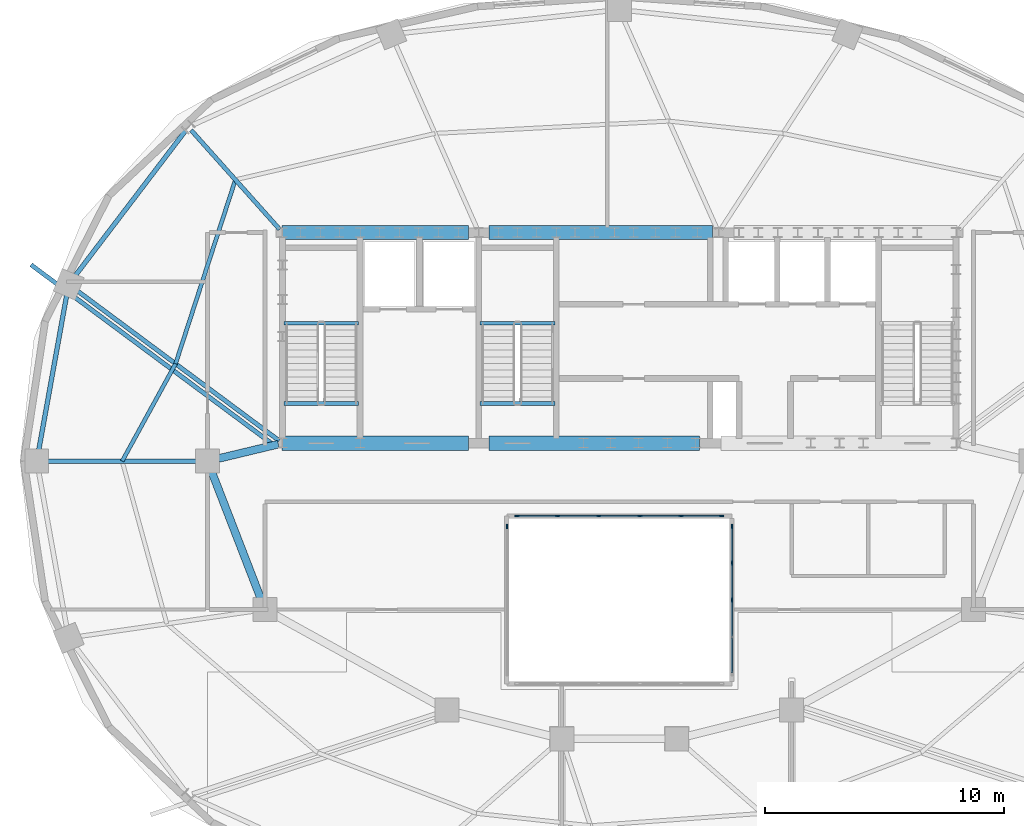
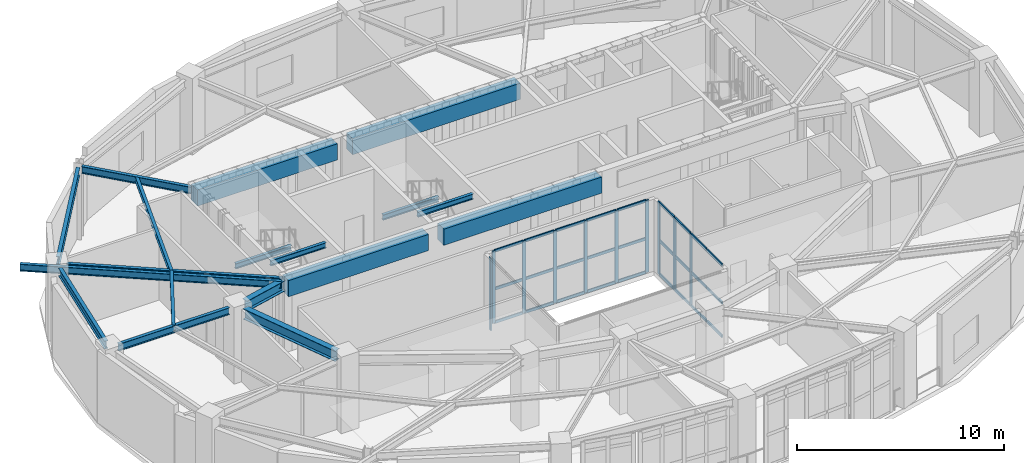
# One storey, part 4 of 11: 37 members, 18 beams, 3 elements without a shape of their own.
"""IFC4 building model written with IfcOpenShell, lengths in metres."""

from ifc_helpers import new_model, si_unit, direction, frame, origin, origin_2d, place, context, subcontext, project, spatial, rectangle, i_section, extrude, material, material_profile, profile_set, type_object, element, aggregate, save


model = new_model("IFC4")

# Units and contexts
model_context = context("Model", 3, precision=1e-05, world=origin(), true_north=direction((0.0, 1.0)))
body_context = subcontext(model_context, "Body", "Model", "MODEL_VIEW")
ifc_project = project(units=[si_unit("LENGTHUNIT", "METRE"), si_unit("AREAUNIT", "SQUARE_METRE"), si_unit("VOLUMEUNIT", "CUBIC_METRE"), si_unit("PLANEANGLEUNIT", "RADIAN"), si_unit("MASSUNIT", "GRAM", prefix="KILO")], contexts=[model_context])

# Site, building, storey
site_placement = place(None, origin())
site = spatial("IfcSite", under=ifc_project, at=site_placement, CompositionType="ELEMENT")
building_placement = place(site_placement, origin())
building = spatial("IfcBuilding", under=site, at=building_placement, Name="Haldorwick Loom Tower", CompositionType="ELEMENT")
storey_placement = place(building_placement, frame((0.0, 0.0, 247.800048828125)))
storey = spatial("IfcBuildingStorey", under=building, at=storey_placement, Name="L67", CompositionType="ELEMENT", Elevation=247.800048828125)

# Curtain wall, members
ifc_material_1 = material(Name="Thermally Broken Anodized Aluminium Curtain Wall Framing", Category="aluminium")
curtain_wall_type = type_object("IfcCurtainWallType", Name="ARC-CW-03", PredefinedType="NOTDEFINED", material=ifc_material_1)
curtain_wall_1_placement = place(storey_placement, origin())
curtain_wall_1 = element("IfcCurtainWall", 1, at=curtain_wall_1_placement, inside=storey, type_object=curtain_wall_type, Name="L67 Atrium Glazed Screen N", PredefinedType="NOTDEFINED")
ifc_material_profile_1 = material_profile(ifc_material_1, rectangle(XDim=0.06591796875, YDim=0.18505859375, at=origin_2d()), Name="ALU_MUL_66X185", Category="aluminium")
ifc_profile_set_1 = profile_set([ifc_material_profile_1], Name="Thermally Broken Anodized Aluminium Curtain Wall Framing")
member_type_1 = type_object("IfcMemberType", Name="ARC-CWM-03", PredefinedType="MULLION", material=ifc_profile_set_1)
member_1_placement = place(storey_placement, frame((31.73291015625, 23.699951171875, 0.0), z_axis=(0.0, 0.0, 1.0), x_axis=(0.0, 1.0, 0.0)))
member_1 = element("IfcMember", 2, at=member_1_placement, type_object=member_type_1, Name="CW-03 mullion 1", PredefinedType="MULLION", context=body_context, shape_type="SweptSolid", body=[
    extrude(rectangle(XDim=0.06591796875, YDim=0.18505859375, at=origin_2d()), origin(), (0.0, 0.0, 1.0), 4.260009765625),
])
member_2_placement = place(storey_placement, frame((33.419921875, 23.699951171875, 0.0), z_axis=(0.0, 0.0, 1.0), x_axis=(0.0, 1.0, 0.0)))
member_2 = element("IfcMember", 3, at=member_2_placement, type_object=member_type_1, Name="CW-03 mullion 2", PredefinedType="MULLION", context=body_context, shape_type="SweptSolid", body=[
    extrude(rectangle(XDim=0.06591796875, YDim=0.18505859375, at=origin_2d()), origin(), (0.0, 0.0, 1.0), 4.260009765625),
])
member_3_placement = place(storey_placement, frame((35.139892578125, 23.699951171875, 0.0), z_axis=(0.0, 0.0, 1.0), x_axis=(0.0, 1.0, 0.0)))
member_3 = element("IfcMember", 4, at=member_3_placement, type_object=member_type_1, Name="CW-03 mullion 3", PredefinedType="MULLION", context=body_context, shape_type="SweptSolid", body=[
    extrude(rectangle(XDim=0.06591796875, YDim=0.18505859375, at=origin_2d()), origin(), (0.0, 0.0, 1.0), 4.260009765625),
])
member_4_placement = place(storey_placement, frame((36.860107421875, 23.699951171875, 0.0), z_axis=(0.0, 0.0, 1.0), x_axis=(0.0, 1.0, 0.0)))
member_4 = element("IfcMember", 5, at=member_4_placement, type_object=member_type_1, Name="CW-03 mullion 4", PredefinedType="MULLION", context=body_context, shape_type="SweptSolid", body=[
    extrude(rectangle(XDim=0.06591796875, YDim=0.18505859375, at=origin_2d()), origin(), (0.0, 0.0, 1.0), 4.260009765625),
])
member_5_placement = place(storey_placement, frame((38.580078125, 23.699951171875, 0.0), z_axis=(0.0, 0.0, 1.0), x_axis=(0.0, 1.0, 0.0)))
member_5 = element("IfcMember", 6, at=member_5_placement, type_object=member_type_1, Name="CW-03 mullion 5", PredefinedType="MULLION", context=body_context, shape_type="SweptSolid", body=[
    extrude(rectangle(XDim=0.06591796875, YDim=0.18505859375, at=origin_2d()), origin(), (0.0, 0.0, 1.0), 4.260009765625),
])
member_6_placement = place(storey_placement, frame((40.26708984375, 23.699951171875, 0.0), z_axis=(0.0, 0.0, 1.0), x_axis=(0.0, 1.0, 0.0)))
member_6 = element("IfcMember", 7, at=member_6_placement, type_object=member_type_1, Name="CW-03 mullion 6", PredefinedType="MULLION", context=body_context, shape_type="SweptSolid", body=[
    extrude(rectangle(XDim=0.06591796875, YDim=0.18505859375, at=origin_2d()), origin(), (0.0, 0.0, 1.0), 4.260009765625),
])

# Curtain wall, member
curtain_wall_2_placement = place(storey_placement, origin())
curtain_wall_2 = element("IfcCurtainWall", 8, at=curtain_wall_2_placement, inside=storey, type_object=curtain_wall_type, Name="L67 Atrium Glazed Screen W", PredefinedType="NOTDEFINED")
member_7_placement = place(storey_placement, frame((31.300048828125, 23.26708984375, 0.0), z_axis=(0.0, 0.0, 1.0), x_axis=(-1.0, 0.0, 0.0)))
member_7 = element("IfcMember", 9, at=member_7_placement, type_object=member_type_1, Name="CW-03 mullion 5", PredefinedType="MULLION", context=body_context, shape_type="SweptSolid", body=[
    extrude(rectangle(XDim=0.06591796875, YDim=0.18505859375, at=origin_2d()), origin(), (0.0, 0.0, 1.0), 4.260009765625),
])
aggregate(curtain_wall_2, [member_7])

# Curtain wall, members
curtain_wall_3_placement = place(storey_placement, origin())
curtain_wall_3 = element("IfcCurtainWall", 10, at=curtain_wall_3_placement, inside=storey, type_object=curtain_wall_type, Name="L67 Atrium Glazed Screen E", PredefinedType="NOTDEFINED")
member_8_placement = place(storey_placement, frame((40.699951171875, 23.26708984375, 0.0), z_axis=(0.0, 0.0, 1.0), x_axis=(1.0, 0.0, 0.0)))
member_8 = element("IfcMember", 11, at=member_8_placement, type_object=member_type_1, Name="CW-03 mullion 1", PredefinedType="MULLION", context=body_context, shape_type="SweptSolid", body=[
    extrude(rectangle(XDim=0.06591796875, YDim=0.18505859375, at=origin_2d()), origin(), (0.0, 0.0, 1.0), 4.260009765625),
])
member_9_placement = place(storey_placement, frame((40.699951171875, 21.75, 0.0), z_axis=(0.0, 0.0, 1.0), x_axis=(1.0, 0.0, 0.0)))
member_9 = element("IfcMember", 12, at=member_9_placement, type_object=member_type_1, Name="CW-03 mullion 2", PredefinedType="MULLION", context=body_context, shape_type="SweptSolid", body=[
    extrude(rectangle(XDim=0.06591796875, YDim=0.18505859375, at=origin_2d()), origin(), (0.0, 0.0, 1.0), 4.260009765625),
])
member_10_placement = place(storey_placement, frame((40.699951171875, 20.199951171875, 0.0), z_axis=(0.0, 0.0, 1.0), x_axis=(1.0, 0.0, 0.0)))
member_10 = element("IfcMember", 13, at=member_10_placement, type_object=member_type_1, Name="CW-03 mullion 3", PredefinedType="MULLION", context=body_context, shape_type="SweptSolid", body=[
    extrude(rectangle(XDim=0.06591796875, YDim=0.18505859375, at=origin_2d()), origin(), (0.0, 0.0, 1.0), 4.260009765625),
])

# Member
ifc_material_profile_2 = material_profile(ifc_material_1, rectangle(XDim=0.06591796875, YDim=0.1650390625, at=origin_2d()), Name="ALU_TRN_66X165", Category="aluminium")
ifc_profile_set_2 = profile_set([ifc_material_profile_2], Name="Thermally Broken Anodized Aluminium Curtain Wall Framing")
member_type_2 = type_object("IfcMemberType", Name="ARC-CWT-03", PredefinedType="USERDEFINED", material=ifc_profile_set_2)
member_11_placement = place(storey_placement, frame((31.76611328125, 23.699951171875, 0.032958984375), z_axis=(1.0, 0.0, 0.0), x_axis=(0.0, 1.0, 0.0)))
member_11 = element("IfcMember", 14, at=member_11_placement, type_object=member_type_2, Name="CW-03 transom 1.1", ObjectType="TRANSOM", PredefinedType="USERDEFINED", context=body_context, shape_type="SweptSolid", body=[
    extrude(rectangle(XDim=0.06591796875, YDim=0.1650390625, at=origin_2d()), origin(), (0.0, 0.0, 1.0), 1.620849609375),
])

member_12_placement = place(storey_placement, frame((31.76611328125, 23.699951171875, 2.0), z_axis=(1.0, 0.0, 0.0), x_axis=(0.0, 1.0, 0.0)))
member_12 = element("IfcMember", 15, at=member_12_placement, type_object=member_type_2, Name="CW-03 transom 1.2", ObjectType="TRANSOM", PredefinedType="USERDEFINED", context=body_context, shape_type="SweptSolid", body=[
    extrude(rectangle(XDim=0.06591796875, YDim=0.1650390625, at=origin_2d()), origin(), (0.0, 0.0, 1.0), 1.620849609375),
])

member_13_placement = place(storey_placement, frame((31.76611328125, 23.699951171875, 4.22705078125), z_axis=(1.0, 0.0, 0.0), x_axis=(0.0, 1.0, 0.0)))
member_13 = element("IfcMember", 16, at=member_13_placement, type_object=member_type_2, Name="CW-03 transom 1.3", ObjectType="TRANSOM", PredefinedType="USERDEFINED", context=body_context, shape_type="SweptSolid", body=[
    extrude(rectangle(XDim=0.06591796875, YDim=0.1650390625, at=origin_2d()), origin(), (0.0, 0.0, 1.0), 1.620849609375),
])

member_14_placement = place(storey_placement, frame((33.452880859375, 23.699951171875, 0.032958984375), z_axis=(1.0, 0.0, 0.0), x_axis=(0.0, 1.0, 0.0)))
member_14 = element("IfcMember", 17, at=member_14_placement, type_object=member_type_2, Name="CW-03 transom 2.1", ObjectType="TRANSOM", PredefinedType="USERDEFINED", context=body_context, shape_type="SweptSolid", body=[
    extrude(rectangle(XDim=0.06591796875, YDim=0.1650390625, at=origin_2d()), origin(), (0.0, 0.0, 1.0), 1.654052734375),
])

member_15_placement = place(storey_placement, frame((33.452880859375, 23.699951171875, 2.0), z_axis=(1.0, 0.0, 0.0), x_axis=(0.0, 1.0, 0.0)))
member_15 = element("IfcMember", 18, at=member_15_placement, type_object=member_type_2, Name="CW-03 transom 2.2", ObjectType="TRANSOM", PredefinedType="USERDEFINED", context=body_context, shape_type="SweptSolid", body=[
    extrude(rectangle(XDim=0.06591796875, YDim=0.1650390625, at=origin_2d()), origin(), (0.0, 0.0, 1.0), 1.654052734375),
])

member_16_placement = place(storey_placement, frame((33.452880859375, 23.699951171875, 4.22705078125), z_axis=(1.0, 0.0, 0.0), x_axis=(0.0, 1.0, 0.0)))
member_16 = element("IfcMember", 19, at=member_16_placement, type_object=member_type_2, Name="CW-03 transom 2.3", ObjectType="TRANSOM", PredefinedType="USERDEFINED", context=body_context, shape_type="SweptSolid", body=[
    extrude(rectangle(XDim=0.06591796875, YDim=0.1650390625, at=origin_2d()), origin(), (0.0, 0.0, 1.0), 1.654052734375),
])

member_17_placement = place(storey_placement, frame((35.173095703125, 23.699951171875, 0.032958984375), z_axis=(1.0, 0.0, 0.0), x_axis=(0.0, 1.0, 0.0)))
member_17 = element("IfcMember", 20, at=member_17_placement, type_object=member_type_2, Name="CW-03 transom 3.1", ObjectType="TRANSOM", PredefinedType="USERDEFINED", context=body_context, shape_type="SweptSolid", body=[
    extrude(rectangle(XDim=0.06591796875, YDim=0.1650390625, at=origin_2d()), origin(), (0.0, 0.0, 1.0), 1.65380859375),
])

member_18_placement = place(storey_placement, frame((35.173095703125, 23.699951171875, 2.0), z_axis=(1.0, 0.0, 0.0), x_axis=(0.0, 1.0, 0.0)))
member_18 = element("IfcMember", 21, at=member_18_placement, type_object=member_type_2, Name="CW-03 transom 3.2", ObjectType="TRANSOM", PredefinedType="USERDEFINED", context=body_context, shape_type="SweptSolid", body=[
    extrude(rectangle(XDim=0.06591796875, YDim=0.1650390625, at=origin_2d()), origin(), (0.0, 0.0, 1.0), 1.65380859375),
])

member_19_placement = place(storey_placement, frame((35.173095703125, 23.699951171875, 4.22705078125), z_axis=(1.0, 0.0, 0.0), x_axis=(0.0, 1.0, 0.0)))
member_19 = element("IfcMember", 22, at=member_19_placement, type_object=member_type_2, Name="CW-03 transom 3.3", ObjectType="TRANSOM", PredefinedType="USERDEFINED", context=body_context, shape_type="SweptSolid", body=[
    extrude(rectangle(XDim=0.06591796875, YDim=0.1650390625, at=origin_2d()), origin(), (0.0, 0.0, 1.0), 1.65380859375),
])

member_20_placement = place(storey_placement, frame((36.89306640625, 23.699951171875, 0.032958984375), z_axis=(1.0, 0.0, 0.0), x_axis=(0.0, 1.0, 0.0)))
member_20 = element("IfcMember", 23, at=member_20_placement, type_object=member_type_2, Name="CW-03 transom 4.1", ObjectType="TRANSOM", PredefinedType="USERDEFINED", context=body_context, shape_type="SweptSolid", body=[
    extrude(rectangle(XDim=0.06591796875, YDim=0.1650390625, at=origin_2d()), origin(), (0.0, 0.0, 1.0), 1.654052734375),
])

member_21_placement = place(storey_placement, frame((36.89306640625, 23.699951171875, 2.0), z_axis=(1.0, 0.0, 0.0), x_axis=(0.0, 1.0, 0.0)))
member_21 = element("IfcMember", 24, at=member_21_placement, type_object=member_type_2, Name="CW-03 transom 4.2", ObjectType="TRANSOM", PredefinedType="USERDEFINED", context=body_context, shape_type="SweptSolid", body=[
    extrude(rectangle(XDim=0.06591796875, YDim=0.1650390625, at=origin_2d()), origin(), (0.0, 0.0, 1.0), 1.654052734375),
])

member_22_placement = place(storey_placement, frame((36.89306640625, 23.699951171875, 4.22705078125), z_axis=(1.0, 0.0, 0.0), x_axis=(0.0, 1.0, 0.0)))
member_22 = element("IfcMember", 25, at=member_22_placement, type_object=member_type_2, Name="CW-03 transom 4.3", ObjectType="TRANSOM", PredefinedType="USERDEFINED", context=body_context, shape_type="SweptSolid", body=[
    extrude(rectangle(XDim=0.06591796875, YDim=0.1650390625, at=origin_2d()), origin(), (0.0, 0.0, 1.0), 1.654052734375),
])

member_23_placement = place(storey_placement, frame((38.613037109375, 23.699951171875, 0.032958984375), z_axis=(1.0, 0.0, 0.0), x_axis=(0.0, 1.0, 0.0)))
member_23 = element("IfcMember", 26, at=member_23_placement, type_object=member_type_2, Name="CW-03 transom 5.1", ObjectType="TRANSOM", PredefinedType="USERDEFINED", context=body_context, shape_type="SweptSolid", body=[
    extrude(rectangle(XDim=0.06591796875, YDim=0.1650390625, at=origin_2d()), origin(), (0.0, 0.0, 1.0), 1.620849609375),
])

member_24_placement = place(storey_placement, frame((38.613037109375, 23.699951171875, 2.0), z_axis=(1.0, 0.0, 0.0), x_axis=(0.0, 1.0, 0.0)))
member_24 = element("IfcMember", 27, at=member_24_placement, type_object=member_type_2, Name="CW-03 transom 5.2", ObjectType="TRANSOM", PredefinedType="USERDEFINED", context=body_context, shape_type="SweptSolid", body=[
    extrude(rectangle(XDim=0.06591796875, YDim=0.1650390625, at=origin_2d()), origin(), (0.0, 0.0, 1.0), 1.620849609375),
])

member_25_placement = place(storey_placement, frame((38.613037109375, 23.699951171875, 4.22705078125), z_axis=(1.0, 0.0, 0.0), x_axis=(0.0, 1.0, 0.0)))
member_25 = element("IfcMember", 28, at=member_25_placement, type_object=member_type_2, Name="CW-03 transom 5.3", ObjectType="TRANSOM", PredefinedType="USERDEFINED", context=body_context, shape_type="SweptSolid", body=[
    extrude(rectangle(XDim=0.06591796875, YDim=0.1650390625, at=origin_2d()), origin(), (0.0, 0.0, 1.0), 1.620849609375),
])

aggregate(curtain_wall_1, [member_1, member_2, member_3, member_4, member_5, member_6, member_11, member_12, member_13, member_14, member_15, member_16, member_17, member_18, member_19, member_20, member_21, member_22, member_23, member_24, member_25])

member_26_placement = place(storey_placement, frame((40.699951171875, 23.23388671875, 0.032958984375), z_axis=(0.0, -1.0, 0.0), x_axis=(1.0, 0.0, 0.0)))
member_26 = element("IfcMember", 29, at=member_26_placement, type_object=member_type_2, Name="CW-03 transom 1.1", ObjectType="TRANSOM", PredefinedType="USERDEFINED", context=body_context, shape_type="SweptSolid", body=[
    extrude(rectangle(XDim=0.06591796875, YDim=0.1650390625, at=origin_2d()), origin(), (0.0, 0.0, 1.0), 1.450927734375),
])

member_27_placement = place(storey_placement, frame((40.699951171875, 23.23388671875, 2.0), z_axis=(0.0, -1.0, 0.0), x_axis=(1.0, 0.0, 0.0)))
member_27 = element("IfcMember", 30, at=member_27_placement, type_object=member_type_2, Name="CW-03 transom 1.2", ObjectType="TRANSOM", PredefinedType="USERDEFINED", context=body_context, shape_type="SweptSolid", body=[
    extrude(rectangle(XDim=0.06591796875, YDim=0.1650390625, at=origin_2d()), origin(), (0.0, 0.0, 1.0), 1.450927734375),
])

member_28_placement = place(storey_placement, frame((40.699951171875, 23.23388671875, 4.22705078125), z_axis=(0.0, -1.0, 0.0), x_axis=(1.0, 0.0, 0.0)))
member_28 = element("IfcMember", 31, at=member_28_placement, type_object=member_type_2, Name="CW-03 transom 1.3", ObjectType="TRANSOM", PredefinedType="USERDEFINED", context=body_context, shape_type="SweptSolid", body=[
    extrude(rectangle(XDim=0.06591796875, YDim=0.1650390625, at=origin_2d()), origin(), (0.0, 0.0, 1.0), 1.450927734375),
])

member_29_placement = place(storey_placement, frame((40.699951171875, 21.717041015625, 0.032958984375), z_axis=(0.0, -1.0, 0.0), x_axis=(1.0, 0.0, 0.0)))
member_29 = element("IfcMember", 32, at=member_29_placement, type_object=member_type_2, Name="CW-03 transom 2.1", ObjectType="TRANSOM", PredefinedType="USERDEFINED", context=body_context, shape_type="SweptSolid", body=[
    extrude(rectangle(XDim=0.06591796875, YDim=0.1650390625, at=origin_2d()), origin(), (0.0, 0.0, 1.0), 1.484130859375),
])

member_30_placement = place(storey_placement, frame((40.699951171875, 21.717041015625, 2.0), z_axis=(0.0, -1.0, 0.0), x_axis=(1.0, 0.0, 0.0)))
member_30 = element("IfcMember", 33, at=member_30_placement, type_object=member_type_2, Name="CW-03 transom 2.2", ObjectType="TRANSOM", PredefinedType="USERDEFINED", context=body_context, shape_type="SweptSolid", body=[
    extrude(rectangle(XDim=0.06591796875, YDim=0.1650390625, at=origin_2d()), origin(), (0.0, 0.0, 1.0), 1.484130859375),
])

member_31_placement = place(storey_placement, frame((40.699951171875, 21.717041015625, 4.22705078125), z_axis=(0.0, -1.0, 0.0), x_axis=(1.0, 0.0, 0.0)))
member_31 = element("IfcMember", 34, at=member_31_placement, type_object=member_type_2, Name="CW-03 transom 2.3", ObjectType="TRANSOM", PredefinedType="USERDEFINED", context=body_context, shape_type="SweptSolid", body=[
    extrude(rectangle(XDim=0.06591796875, YDim=0.1650390625, at=origin_2d()), origin(), (0.0, 0.0, 1.0), 1.484130859375),
])

member_32_placement = place(storey_placement, frame((40.699951171875, 20.1669921875, 0.032958984375), z_axis=(0.0, -1.0, 0.0), x_axis=(1.0, 0.0, 0.0)))
member_32 = element("IfcMember", 35, at=member_32_placement, type_object=member_type_2, Name="CW-03 transom 3.1", ObjectType="TRANSOM", PredefinedType="USERDEFINED", context=body_context, shape_type="SweptSolid", body=[
    extrude(rectangle(XDim=0.06591796875, YDim=0.1650390625, at=origin_2d()), origin(), (0.0, 0.0, 1.0), 1.48388671875),
])

member_33_placement = place(storey_placement, frame((40.699951171875, 20.1669921875, 2.0), z_axis=(0.0, -1.0, 0.0), x_axis=(1.0, 0.0, 0.0)))
member_33 = element("IfcMember", 36, at=member_33_placement, type_object=member_type_2, Name="CW-03 transom 3.2", ObjectType="TRANSOM", PredefinedType="USERDEFINED", context=body_context, shape_type="SweptSolid", body=[
    extrude(rectangle(XDim=0.06591796875, YDim=0.1650390625, at=origin_2d()), origin(), (0.0, 0.0, 1.0), 1.48388671875),
])

member_34_placement = place(storey_placement, frame((40.699951171875, 20.1669921875, 4.22705078125), z_axis=(0.0, -1.0, 0.0), x_axis=(1.0, 0.0, 0.0)))
member_34 = element("IfcMember", 37, at=member_34_placement, type_object=member_type_2, Name="CW-03 transom 3.3", ObjectType="TRANSOM", PredefinedType="USERDEFINED", context=body_context, shape_type="SweptSolid", body=[
    extrude(rectangle(XDim=0.06591796875, YDim=0.1650390625, at=origin_2d()), origin(), (0.0, 0.0, 1.0), 1.48388671875),
])

member_35_placement = place(storey_placement, frame((40.699951171875, 18.616943359375, 0.032958984375), z_axis=(0.0, -1.0, 0.0), x_axis=(1.0, 0.0, 0.0)))
member_35 = element("IfcMember", 38, at=member_35_placement, type_object=member_type_2, Name="CW-03 transom 4.1", ObjectType="TRANSOM", PredefinedType="USERDEFINED", context=body_context, shape_type="SweptSolid", body=[
    extrude(rectangle(XDim=0.06591796875, YDim=0.1650390625, at=origin_2d()), origin(), (0.0, 0.0, 1.0), 1.450927734375),
])

member_36_placement = place(storey_placement, frame((40.699951171875, 18.616943359375, 2.0), z_axis=(0.0, -1.0, 0.0), x_axis=(1.0, 0.0, 0.0)))
member_36 = element("IfcMember", 39, at=member_36_placement, type_object=member_type_2, Name="CW-03 transom 4.2", ObjectType="TRANSOM", PredefinedType="USERDEFINED", context=body_context, shape_type="SweptSolid", body=[
    extrude(rectangle(XDim=0.06591796875, YDim=0.1650390625, at=origin_2d()), origin(), (0.0, 0.0, 1.0), 1.450927734375),
])

member_37_placement = place(storey_placement, frame((40.699951171875, 18.616943359375, 4.22705078125), z_axis=(0.0, -1.0, 0.0), x_axis=(1.0, 0.0, 0.0)))
member_37 = element("IfcMember", 40, at=member_37_placement, type_object=member_type_2, Name="CW-03 transom 4.3", ObjectType="TRANSOM", PredefinedType="USERDEFINED", context=body_context, shape_type="SweptSolid", body=[
    extrude(rectangle(XDim=0.06591796875, YDim=0.1650390625, at=origin_2d()), origin(), (0.0, 0.0, 1.0), 1.450927734375),
])

aggregate(curtain_wall_3, [member_8, member_9, member_10, member_26, member_27, member_28, member_29, member_30, member_31, member_32, member_33, member_34, member_35, member_36, member_37])

# Beams
ifc_material_2 = material(Name="Steel CSA G40.21 350W", Category="steel")
ifc_material_profile_3 = material_profile(ifc_material_2, i_section(OverallWidth=0.179931640625, OverallDepth=0.4130859375, WebThickness=0.009765625, FlangeThickness=0.01611328125, at=origin_2d()), Name="W410X74", Category="steel")
ifc_profile_set_3 = profile_set([ifc_material_profile_3], Name="Steel CSA G40.21 350W")
beam_type_1 = type_object("IfcBeamType", Name="STR-BM-BAL410", PredefinedType="BEAM", material=ifc_profile_set_3)
beam_1_placement = place(storey_placement, frame((21.6201171875, 26.63134765625, 4.053466796875), z_axis=(-0.802802996116, 0.596244370562, 0.0), x_axis=(-0.596244370562, -0.802802996116, 0.0)))
element("IfcBeam", 41, at=beam_1_placement, inside=storey, type_object=beam_type_1, Name="L67 Continuous Back-Spanned Balcony Beam 3", PredefinedType="BEAM", context=body_context, shape_type="SweptSolid", body=[
    extrude(i_section(OverallWidth=0.179931640625, OverallDepth=0.4130859375, WebThickness=0.009765625, FlangeThickness=0.01611328125, at=origin_2d()), origin(), (0.0, 0.0, 1.0), 12.701171875),
])
ifc_material_3 = material(Name="Concrete C50 (50 MPa)", Category="concrete")
ifc_material_profile_4 = material_profile(ifc_material_3, rectangle(XDim=0.60009765625, YDim=0.949951171875, at=origin_2d()), Name="RC600X950", Category="concrete")
ifc_profile_set_4 = profile_set([ifc_material_profile_4], Name="Concrete C50 (50 MPa)")
beam_type_2 = type_object("IfcBeamType", Name="STR-BM-CB950", PredefinedType="LINTEL", material=ifc_profile_set_4)
beam_2_placement = place(storey_placement, frame((21.89990234375, 35.550048828125, 3.784912109375), z_axis=(1.0, 0.0, 0.0), x_axis=(0.0, 1.0, 0.0)))
element("IfcBeam", 42, at=beam_2_placement, inside=storey, type_object=beam_type_2, Name="L67 Core Coupling Beam CB-N1", PredefinedType="LINTEL", context=body_context, shape_type="SweptSolid", body=[
    extrude(rectangle(XDim=0.60009765625, YDim=0.949951171875, at=origin_2d()), origin(), (0.0, 0.0, 1.0), 7.800048828125),
])
beam_3_placement = place(storey_placement, frame((30.550048828125, 35.550048828125, 3.784912109375), z_axis=(1.0, 0.0, 0.0), x_axis=(0.0, 1.0, 0.0)))
element("IfcBeam", 43, at=beam_3_placement, inside=storey, type_object=beam_type_2, Name="L67 Core Coupling Beam CB-N2", PredefinedType="LINTEL", context=body_context, shape_type="SweptSolid", body=[
    extrude(rectangle(XDim=0.60009765625, YDim=0.949951171875, at=origin_2d()), origin(), (0.0, 0.0, 1.0), 9.349853515625),
])
beam_4_placement = place(storey_placement, frame((21.89990234375, 26.75, 3.784912109375), z_axis=(1.0, 0.0, 0.0), x_axis=(0.0, 1.0, 0.0)))
element("IfcBeam", 44, at=beam_4_placement, inside=storey, type_object=beam_type_2, Name="L67 Core Coupling Beam CB-S1", PredefinedType="LINTEL", context=body_context, shape_type="SweptSolid", body=[
    extrude(rectangle(XDim=0.60009765625, YDim=0.949951171875, at=origin_2d()), origin(), (0.0, 0.0, 1.0), 7.800048828125),
])
beam_5_placement = place(storey_placement, frame((30.550048828125, 26.75, 3.784912109375), z_axis=(1.0, 0.0, 0.0), x_axis=(0.0, 1.0, 0.0)))
element("IfcBeam", 45, at=beam_5_placement, inside=storey, type_object=beam_type_2, Name="L67 Core Coupling Beam CB-S2", PredefinedType="LINTEL", context=body_context, shape_type="SweptSolid", body=[
    extrude(rectangle(XDim=0.60009765625, YDim=0.949951171875, at=origin_2d()), origin(), (0.0, 0.0, 1.0), 8.800048828125),
])
ifc_material_profile_5 = material_profile(ifc_material_2, i_section(OverallWidth=0.166015625, OverallDepth=0.31298828125, WebThickness=0.006591796875, FlangeThickness=0.01123046875, at=origin_2d()), Name="W310X45", Category="steel")
ifc_profile_set_5 = profile_set([ifc_material_profile_5], Name="Steel CSA G40.21 350W")
beam_type_3 = type_object("IfcBeamType", Name="STR-BM-J310", PredefinedType="JOIST", material=ifc_profile_set_5)
beam_6_placement = place(storey_placement, frame((19.96240234375, 37.754150390625, 4.103515625), z_axis=(-0.309277990337, -0.95097167397, 0.0), x_axis=(0.95097167397, -0.309277990337, 0.0)))
element("IfcBeam", 46, at=beam_6_placement, inside=storey, type_object=beam_type_3, Name="L67 Mid-Bay Secondary Joist 7", PredefinedType="JOIST", context=body_context, shape_type="SweptSolid", body=[
    extrude(i_section(OverallWidth=0.166015625, OverallDepth=0.31298828125, WebThickness=0.006591796875, FlangeThickness=0.01123046875, at=origin_2d()), origin(), (0.0, 0.0, 1.0), 8.08251953125),
])
beam_7_placement = place(storey_placement, frame((17.462646484375, 30.06787109375, 4.103515625), z_axis=(-0.480863931781, -0.876795232145, 0.0), x_axis=(0.876795232145, -0.480863931781, 0.0)))
element("IfcBeam", 47, at=beam_7_placement, inside=storey, type_object=beam_type_3, Name="L67 Mid-Bay Secondary Joist 8", PredefinedType="JOIST", context=body_context, shape_type="SweptSolid", body=[
    extrude(i_section(OverallWidth=0.166015625, OverallDepth=0.31298828125, WebThickness=0.006591796875, FlangeThickness=0.01123046875, at=origin_2d()), origin(), (0.0, 0.0, 1.0), 4.639404296875),
])
ifc_material_profile_6 = material_profile(ifc_material_2, i_section(OverallWidth=0.179931640625, OverallDepth=0.4130859375, WebThickness=0.009765625, FlangeThickness=0.01611328125, at=origin_2d()), Name="W410X74", Category="steel")
ifc_profile_set_6 = profile_set([ifc_material_profile_6], Name="Steel CSA G40.21 350W")
beam_type_4 = type_object("IfcBeamType", Name="STR-BM-J410", PredefinedType="JOIST", material=ifc_profile_set_6)
beam_8_placement = place(storey_placement, frame((21.8115234375, 35.682861328125, 4.053466796875), z_axis=(-0.665966842703, 0.745981343212, 0.0), x_axis=(-0.745981343212, -0.665966842703, 0.0)))
element("IfcBeam", 48, at=beam_8_placement, inside=storey, type_object=beam_type_4, Name="L67 Radial Floor Girder 7", PredefinedType="JOIST", context=body_context, shape_type="SweptSolid", body=[
    extrude(i_section(OverallWidth=0.179931640625, OverallDepth=0.4130859375, WebThickness=0.009765625, FlangeThickness=0.01611328125, at=origin_2d()), origin(), (0.0, 0.0, 1.0), 5.55322265625),
])
beam_9_placement = place(storey_placement, frame((21.787109375, 26.856201171875, 4.053466796875), z_axis=(-0.802807271117, 0.596238614518, 0.0), x_axis=(-0.596238614518, -0.802807271117, 0.0)))
element("IfcBeam", 49, at=beam_9_placement, inside=storey, type_object=beam_type_4, Name="L67 Radial Floor Girder 8", PredefinedType="JOIST", context=body_context, shape_type="SweptSolid", body=[
    extrude(i_section(OverallWidth=0.179931640625, OverallDepth=0.4130859375, WebThickness=0.009765625, FlangeThickness=0.01611328125, at=origin_2d()), origin(), (0.0, 0.0, 1.0), 10.476318359375),
])
beam_10_placement = place(storey_placement, frame((18.324951171875, 26.0, 4.053466796875), z_axis=(-1.0, 0.0, 0.0), x_axis=(0.0, -1.0, 0.0)))
element("IfcBeam", 50, at=beam_10_placement, inside=storey, type_object=beam_type_4, Name="L67 Radial Floor Girder 9", PredefinedType="JOIST", context=body_context, shape_type="SweptSolid", body=[
    extrude(i_section(OverallWidth=0.179931640625, OverallDepth=0.4130859375, WebThickness=0.009765625, FlangeThickness=0.01611328125, at=origin_2d()), origin(), (0.0, 0.0, 1.0), 6.186767578125),
])
ifc_material_profile_7 = material_profile(ifc_material_2, i_section(OverallWidth=0.193115234375, OverallDepth=0.466064453125, WebThickness=0.011474609375, FlangeThickness=0.01904296875, at=origin_2d()), Name="W460X97", Category="steel")
ifc_profile_set_7 = profile_set([ifc_material_profile_7], Name="Steel CSA G40.21 350W")
beam_type_5 = type_object("IfcBeamType", Name="STR-BM-SP460", PredefinedType="SPANDREL", material=ifc_profile_set_7)
beam_11_placement = place(storey_placement, frame((17.886962890625, 39.816650390625, 4.02685546875), z_axis=(-0.605410439126, -0.795913437629, 0.0), x_axis=(0.795913437629, -0.605410439126, 0.0)))
element("IfcBeam", 51, at=beam_11_placement, inside=storey, type_object=beam_type_5, Name="L67 Perimeter Spandrel 7", PredefinedType="SPANDREL", context=body_context, shape_type="SweptSolid", body=[
    extrude(i_section(OverallWidth=0.193115234375, OverallDepth=0.466064453125, WebThickness=0.011474609375, FlangeThickness=0.01904296875, at=origin_2d()), origin(), (0.0, 0.0, 1.0), 7.604736328125),
])
beam_12_placement = place(storey_placement, frame((12.9111328125, 32.918212890625, 4.02685546875), z_axis=(-0.177515201984, -0.984118058499, 0.0), x_axis=(0.984118058499, -0.177515201984, 0.0)))
element("IfcBeam", 52, at=beam_12_placement, inside=storey, type_object=beam_type_5, Name="L67 Perimeter Spandrel 8", PredefinedType="SPANDREL", context=body_context, shape_type="SweptSolid", body=[
    extrude(i_section(OverallWidth=0.193115234375, OverallDepth=0.466064453125, WebThickness=0.011474609375, FlangeThickness=0.01904296875, at=origin_2d()), origin(), (0.0, 0.0, 1.0), 6.5546875),
])
ifc_material_profile_8 = material_profile(ifc_material_2, i_section(OverallWidth=0.166015625, OverallDepth=0.31298828125, WebThickness=0.006591796875, FlangeThickness=0.01123046875, at=origin_2d()), Name="W310X45", Category="steel")
ifc_profile_set_8 = profile_set([ifc_material_profile_8], Name="Steel CSA G40.21 350W")
beam_type_6 = type_object("IfcBeamType", Name="STR-BM-STRM", PredefinedType="BEAM", material=ifc_profile_set_8)
for number, where, z_axis, x_axis, name in (
    (53, (21.989990234375, 28.39990234375, 4.103515625), (1.0, 0.0, 0.0), (0.0, 1.0, 0.0), "L67 Stair ST-01 Landing Edge Trimmer"),
    (54, (21.989990234375, 31.760009765625, 1.8935546875), (1.0, 0.0, 0.0), (0.0, 1.0, 0.0), "L67 Stair ST-01 Half-Landing Trimmer 1"),
    (55, (30.18994140625, 28.39990234375, 4.103515625), (1.0, 0.0, 0.0), (0.0, 1.0, 0.0), "L67 Stair ST-03 Landing Edge Trimmer"),
    (56, (30.18994140625, 31.760009765625, 1.8935546875), (1.0, 0.0, 0.0), (0.0, 1.0, 0.0), "L67 Stair ST-03 Half-Landing Trimmer 1"),
):
    element("IfcBeam", number, at=place(storey_placement, frame(where, z_axis=z_axis, x_axis=x_axis)), inside=storey, type_object=beam_type_6, Name=name, PredefinedType="BEAM", context=body_context, shape_type="SweptSolid", body=[
        extrude(i_section(OverallWidth=0.166015625, OverallDepth=0.31298828125, WebThickness=0.006591796875, FlangeThickness=0.01123046875, at=origin_2d()), origin(), (0.0, 0.0, 1.0), 3.1201171875),
    ])
ifc_material_profile_9 = material_profile(ifc_material_2, i_section(OverallWidth=0.324951171875, OverallDepth=0.615966796875, WebThickness=0.013916015625, FlangeThickness=0.021484375, at=origin_2d()), Name="W610X174", Category="steel")
ifc_profile_set_9 = profile_set([ifc_material_profile_9], Name="Steel CSA G40.21 350W")
beam_type_7 = type_object("IfcBeamType", Name="STR-BM-W610A", PredefinedType="BEAM", material=ifc_profile_set_9)
beam_13_placement = place(storey_placement, frame((21.028564453125, 20.242919921875, 3.951904296875), z_axis=(-0.36101093026, 0.93256158415, 0.0), x_axis=(-0.93256158415, -0.36101093026, 0.0)))
element("IfcBeam", 57, at=beam_13_placement, inside=storey, type_object=beam_type_7, Name="L67 Inner Ring Girder 8", PredefinedType="BEAM", context=body_context, shape_type="SweptSolid", body=[
    extrude(i_section(OverallWidth=0.324951171875, OverallDepth=0.615966796875, WebThickness=0.013916015625, FlangeThickness=0.021484375, at=origin_2d()), origin(), (0.0, 0.0, 1.0), 5.6982421875),
])
beam_14_placement = place(storey_placement, frame((19.261962890625, 26.110595703125, 3.951904296875), z_axis=(0.972464127734, 0.233052612665, 0.0), x_axis=(-0.233052612665, 0.972464127734, 0.0)))
element("IfcBeam", 58, at=beam_14_placement, inside=storey, type_object=beam_type_7, Name="L67 Inner Ring Girder 9", PredefinedType="BEAM", context=body_context, shape_type="SweptSolid", body=[
    extrude(i_section(OverallWidth=0.324951171875, OverallDepth=0.615966796875, WebThickness=0.013916015625, FlangeThickness=0.021484375, at=origin_2d()), origin(), (0.0, 0.0, 1.0), 2.5654296875),
])

save(model, "model.ifc")
